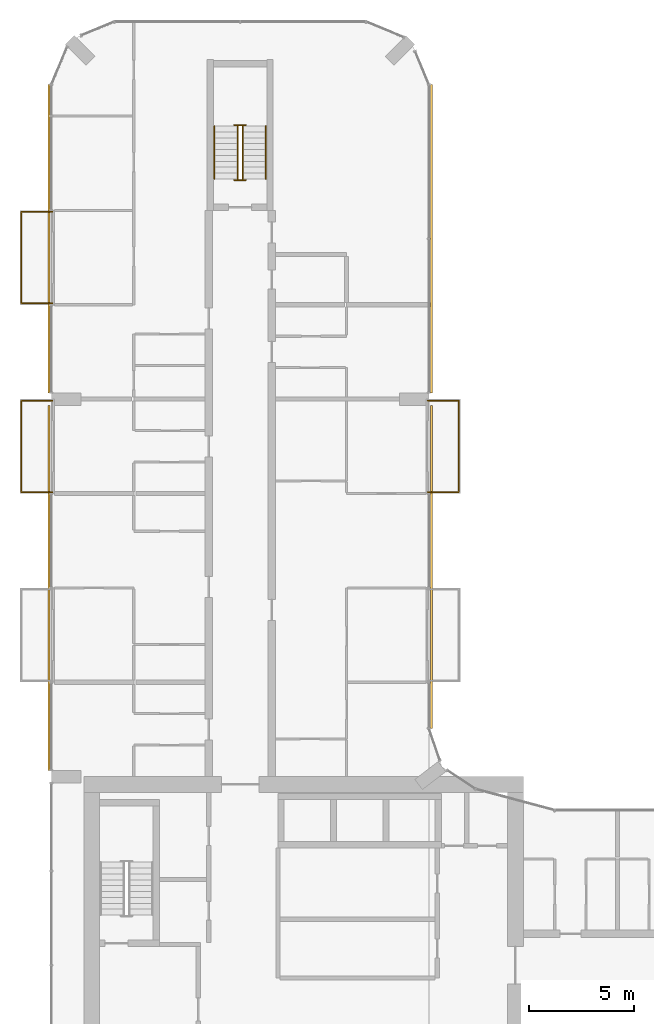
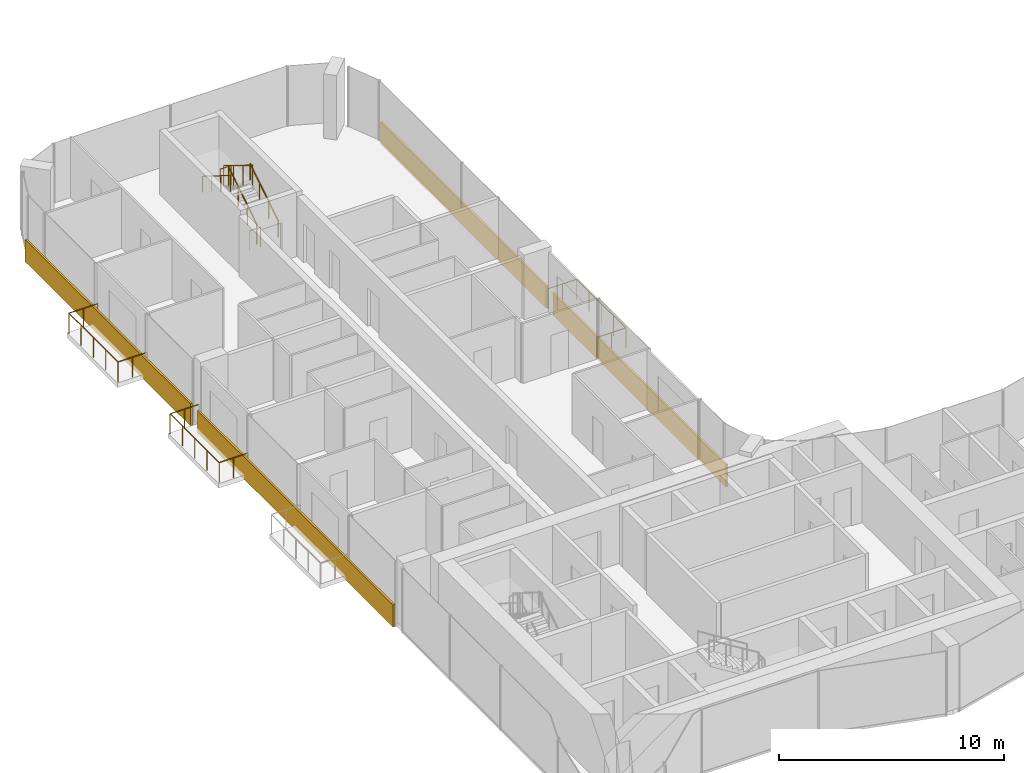
# One storey, part 22 of 23: 9 railings, 4 coverings.
"""IFC4 building model written with IfcOpenShell, lengths in metres."""

from ifc_helpers import new_model, si_unit, direction, frame, origin, origin_2d, place, context, subcontext, project, spatial, rectangle, circle, extrude, material, layer, layer_set, type_object, element, save


model = new_model("IFC4")

# Units and contexts
model_context = context("Model", 3, precision=1e-05, world=origin(), true_north=direction((0.0, 1.0)))
body_context = subcontext(model_context, "Body", "Model", "MODEL_VIEW")
ifc_project = project(units=[si_unit("LENGTHUNIT", "METRE"), si_unit("AREAUNIT", "SQUARE_METRE"), si_unit("VOLUMEUNIT", "CUBIC_METRE"), si_unit("PLANEANGLEUNIT", "RADIAN"), si_unit("MASSUNIT", "GRAM", prefix="KILO")], contexts=[model_context])

# Site, building, storey
site_placement = place(None, origin())
site = spatial("IfcSite", under=ifc_project, at=site_placement, CompositionType="ELEMENT")
building_placement = place(site_placement, origin())
building = spatial("IfcBuilding", under=site, at=building_placement, Name="Plateau Cross Towers", CompositionType="ELEMENT")
storey_placement = place(building_placement, frame((0.0, 0.0, 33.800048828125)))
storey = spatial("IfcBuildingStorey", under=building, at=storey_placement, Name="L07", CompositionType="ELEMENT", Elevation=33.800048828125)

# Railings
ifc_material_1 = material(Name="Stainless steel and toughened glass", Category="steel")
railing_type_1 = type_object("IfcRailingType", Name="Glass balustrade guard 1100", PredefinedType="GUARDRAIL", material=ifc_material_1)
for number, where, name in (
    (1, (0.050048828125, 31.570068359375, 0.0), "Guard guard1"),
    (2, (0.050048828125, 40.570068359375, 0.0), "Guard guard1"),
):
    element("IfcRailing", number, at=place(storey_placement, frame(where)), inside=storey, type_object=railing_type_1, Name=name, PredefinedType="GUARDRAIL", context=body_context, shape_type="SweptSolid", body=[
        extrude(circle(Radius=0.02392578125, at=origin_2d()), frame((0.0, 0.0, 1.076171875), z_axis=(-1.0, 0.0, 0.0), x_axis=(0.0, -1.0, 0.0)), (0.0, 0.0, 1.0), 1.47998046875),
        extrude(circle(Radius=0.02392578125, at=origin_2d()), frame((-1.47998046875, 0.0, 1.076171875), z_axis=(0.0, 1.0, 0.0), x_axis=(-1.0, 0.0, 0.0)), (0.0, 0.0, 1.0), 4.35986328125),
        extrude(circle(Radius=0.02392578125, at=origin_2d()), frame((-1.47998046875, 4.35986328125, 1.076171875), z_axis=(1.0, 0.0, 0.0), x_axis=(0.0, 1.0, 0.0)), (0.0, 0.0, 1.0), 1.47998046875),
        extrude(circle(Radius=0.02099609375, at=origin_2d()), origin(), (0.0, 0.0, 1.0), 1.052001953125),
        extrude(circle(Radius=0.02099609375, at=origin_2d()), frame((-0.739990234375, 0.0, 0.0)), (0.0, 0.0, 1.0), 1.052001953125),
        extrude(circle(Radius=0.02099609375, at=origin_2d()), frame((-1.47998046875, 0.0, 0.0)), (0.0, 0.0, 1.0), 1.052001953125),
        extrude(circle(Radius=0.02099609375, at=origin_2d()), frame((-1.47998046875, 1.08984375, 0.0)), (0.0, 0.0, 1.0), 1.052001953125),
        extrude(circle(Radius=0.02099609375, at=origin_2d()), frame((-1.47998046875, 2.179931640625, 0.0)), (0.0, 0.0, 1.0), 1.052001953125),
        extrude(circle(Radius=0.02099609375, at=origin_2d()), frame((-1.47998046875, 3.27001953125, 0.0)), (0.0, 0.0, 1.0), 1.052001953125),
        extrude(circle(Radius=0.02099609375, at=origin_2d()), frame((-1.47998046875, 4.35986328125, 0.0)), (0.0, 0.0, 1.0), 1.052001953125),
        extrude(circle(Radius=0.02099609375, at=origin_2d()), frame((-0.739990234375, 4.35986328125, 0.0)), (0.0, 0.0, 1.0), 1.052001953125),
        extrude(circle(Radius=0.02099609375, at=origin_2d()), frame((0.0, 4.35986328125, 0.0)), (0.0, 0.0, 1.0), 1.052001953125),
    ])
railing_1_placement = place(storey_placement, frame((17.949951171875, 35.929931640625, 0.0)))
element("IfcRailing", 3, at=railing_1_placement, inside=storey, type_object=railing_type_1, Name="Guard guard1", PredefinedType="GUARDRAIL", context=body_context, shape_type="SweptSolid", body=[
    extrude(circle(Radius=0.02392578125, at=origin_2d()), frame((0.0, 0.0, 1.076171875), z_axis=(1.0, 0.0, 0.0), x_axis=(0.0, 1.0, 0.0)), (0.0, 0.0, 1.0), 1.47998046875),
    extrude(circle(Radius=0.02392578125, at=origin_2d()), frame((1.47998046875, 0.0, 1.076171875), z_axis=(0.0, -1.0, 0.0), x_axis=(1.0, 0.0, 0.0)), (0.0, 0.0, 1.0), 4.35986328125),
    extrude(circle(Radius=0.02392578125, at=origin_2d()), frame((1.47998046875, -4.35986328125, 1.076171875), z_axis=(-1.0, 0.0, 0.0), x_axis=(0.0, -1.0, 0.0)), (0.0, 0.0, 1.0), 1.47998046875),
    extrude(circle(Radius=0.02099609375, at=origin_2d()), origin(), (0.0, 0.0, 1.0), 1.052001953125),
    extrude(circle(Radius=0.02099609375, at=origin_2d()), frame((0.739990234375, 0.0, 0.0)), (0.0, 0.0, 1.0), 1.052001953125),
    extrude(circle(Radius=0.02099609375, at=origin_2d()), frame((1.47998046875, 0.0, 0.0)), (0.0, 0.0, 1.0), 1.052001953125),
    extrude(circle(Radius=0.02099609375, at=origin_2d()), frame((1.47998046875, -1.08984375, 0.0)), (0.0, 0.0, 1.0), 1.052001953125),
    extrude(circle(Radius=0.02099609375, at=origin_2d()), frame((1.47998046875, -2.179931640625, 0.0)), (0.0, 0.0, 1.0), 1.052001953125),
    extrude(circle(Radius=0.02099609375, at=origin_2d()), frame((1.47998046875, -3.27001953125, 0.0)), (0.0, 0.0, 1.0), 1.052001953125),
    extrude(circle(Radius=0.02099609375, at=origin_2d()), frame((1.47998046875, -4.35986328125, 0.0)), (0.0, 0.0, 1.0), 1.052001953125),
    extrude(circle(Radius=0.02099609375, at=origin_2d()), frame((0.739990234375, -4.35986328125, 0.0)), (0.0, 0.0, 1.0), 1.052001953125),
    extrude(circle(Radius=0.02099609375, at=origin_2d()), frame((0.0, -4.35986328125, 0.0)), (0.0, 0.0, 1.0), 1.052001953125),
])
railing_type_2 = type_object("IfcRailingType", Name="RL-GUARD-1100", PredefinedType="GUARDRAIL", material=ifc_material_1)
railing_2_placement = place(storey_placement, frame((9.125, 46.5, 0.175048828125)))
element("IfcRailing", 4, at=railing_2_placement, inside=storey, type_object=railing_type_2, Name="L07 ES-N stair guard 1", PredefinedType="GUARDRAIL", context=body_context, shape_type="SweptSolid", body=[
    extrude(circle(Radius=0.02392578125, at=origin_2d()), frame((0.0, 0.0, 1.076171875), z_axis=(0.0, 0.848007534815, 0.529984170421), x_axis=(-1.0, 0.0, 0.0)), (0.0, 0.0, 1.0), 2.9716796875),
    extrude(circle(Radius=0.02099609375, at=origin_2d()), origin(), (0.0, 0.0, 1.0), 1.052001953125),
    extrude(circle(Radius=0.02099609375, at=origin_2d()), frame((0.0, 0.840087890625, 0.52490234375)), (0.0, 0.0, 1.0), 1.052001953125),
    extrude(circle(Radius=0.02099609375, at=origin_2d()), frame((0.0, 1.679931640625, 1.050048828125)), (0.0, 0.0, 1.0), 1.052001953125),
    extrude(circle(Radius=0.02099609375, at=origin_2d()), frame((0.0, 2.52001953125, 1.574951171875)), (0.0, 0.0, 1.0), 1.052001953125),
])
railing_3_placement = place(storey_placement, frame((9.27490234375, 49.070068359375, 1.75)))
element("IfcRailing", 5, at=railing_3_placement, inside=storey, type_object=railing_type_2, Name="L07 ES-N stair guard 2", PredefinedType="GUARDRAIL", context=body_context, shape_type="SweptSolid", body=[
    extrude(circle(Radius=0.02392578125, at=origin_2d()), frame((0.0, 0.0, 1.076171875), z_axis=(-1.0, 0.0, 0.0), x_axis=(0.0, -1.0, 0.0)), (0.0, 0.0, 1.0), 0.5498046875),
    extrude(circle(Radius=0.02099609375, at=origin_2d()), origin(), (0.0, 0.0, 1.0), 1.052001953125),
    extrude(circle(Radius=0.02099609375, at=origin_2d()), frame((-0.5498046875, 0.0, 0.0)), (0.0, 0.0, 1.0), 1.052001953125),
])
railing_4_placement = place(storey_placement, frame((8.875, 49.02001953125, 1.925048828125)))
element("IfcRailing", 6, at=railing_4_placement, inside=storey, type_object=railing_type_2, Name="L07 ES-N stair guard 3", PredefinedType="GUARDRAIL", context=body_context, shape_type="SweptSolid", body=[
    extrude(circle(Radius=0.02392578125, at=origin_2d()), frame((0.0, 0.0, 1.076171875), z_axis=(0.0, -0.852638500773, 0.522501279423), x_axis=(1.0, 0.0, 0.0)), (0.0, 0.0, 1.0), 3.01416015625),
    extrude(circle(Radius=0.02099609375, at=origin_2d()), origin(), (0.0, 0.0, 1.0), 1.052001953125),
    extrude(circle(Radius=0.02099609375, at=origin_2d()), frame((0.0, -0.856689453125, 0.52490234375)), (0.0, 0.0, 1.0), 1.052001953125),
    extrude(circle(Radius=0.02099609375, at=origin_2d()), frame((0.0, -1.71337890625, 1.050048828125)), (0.0, 0.0, 1.0), 1.052001953125),
    extrude(circle(Radius=0.02099609375, at=origin_2d()), frame((0.0, -2.570068359375, 1.574951171875)), (0.0, 0.0, 1.0), 1.052001953125),
])
railing_5_placement = place(storey_placement, frame((9.27490234375, 46.449951171875, 0.0)))
element("IfcRailing", 7, at=railing_5_placement, inside=storey, type_object=railing_type_2, Name="L07 ES-N stair guard 4", PredefinedType="GUARDRAIL", context=body_context, shape_type="SweptSolid", body=[
    extrude(circle(Radius=0.02392578125, at=origin_2d()), frame((0.0, 0.0, 1.076171875), z_axis=(-1.0, 0.0, 0.0), x_axis=(0.0, -1.0, 0.0)), (0.0, 0.0, 1.0), 0.5498046875),
    extrude(circle(Radius=0.02099609375, at=origin_2d()), origin(), (0.0, 0.0, 1.0), 1.052001953125),
    extrude(circle(Radius=0.02099609375, at=origin_2d()), frame((-0.5498046875, 0.0, 0.0)), (0.0, 0.0, 1.0), 1.052001953125),
])
ifc_material_2 = material(Name="Black anodised aluminium", Category="aluminium")
railing_type_3 = type_object("IfcRailingType", Name="RL-HANDRAIL-900", PredefinedType="HANDRAIL", material=ifc_material_2)
railing_6_placement = place(storey_placement, frame((10.22509765625, 46.5, 0.175048828125)))
element("IfcRailing", 8, at=railing_6_placement, inside=storey, type_object=railing_type_3, Name="L07 ES-N stair handrail 1", PredefinedType="HANDRAIL", context=body_context, shape_type="SweptSolid", body=[
    extrude(circle(Radius=0.02392578125, at=origin_2d()), frame((0.0, 0.0, 0.8759765625), z_axis=(0.0, 0.848007534815, 0.529984170421), x_axis=(-1.0, 0.0, 0.0)), (0.0, 0.0, 1.0), 2.9716796875),
    extrude(circle(Radius=0.02099609375, at=origin_2d()), origin(), (0.0, 0.0, 1.0), 0.851806640625),
    extrude(circle(Radius=0.02099609375, at=origin_2d()), frame((0.0, 0.840087890625, 0.52490234375)), (0.0, 0.0, 1.0), 0.851806640625),
    extrude(circle(Radius=0.02099609375, at=origin_2d()), frame((0.0, 1.679931640625, 1.050048828125)), (0.0, 0.0, 1.0), 0.851806640625),
    extrude(circle(Radius=0.02099609375, at=origin_2d()), frame((0.0, 2.52001953125, 1.574951171875)), (0.0, 0.0, 1.0), 0.851806640625),
])
railing_7_placement = place(storey_placement, frame((7.77490234375, 49.02001953125, 1.925048828125)))
element("IfcRailing", 9, at=railing_7_placement, inside=storey, type_object=railing_type_3, Name="L07 ES-N stair handrail 2", PredefinedType="HANDRAIL", context=body_context, shape_type="SweptSolid", body=[
    extrude(circle(Radius=0.02392578125, at=origin_2d()), frame((0.0, 0.0, 0.8759765625), z_axis=(0.0, -0.848007534815, 0.529984170421), x_axis=(1.0, 0.0, 0.0)), (0.0, 0.0, 1.0), 2.9716796875),
    extrude(circle(Radius=0.02099609375, at=origin_2d()), origin(), (0.0, 0.0, 1.0), 0.851806640625),
    extrude(circle(Radius=0.02099609375, at=origin_2d()), frame((0.0, -0.840087890625, 0.52490234375)), (0.0, 0.0, 1.0), 0.851806640625),
    extrude(circle(Radius=0.02099609375, at=origin_2d()), frame((0.0, -1.679931640625, 1.050048828125)), (0.0, 0.0, 1.0), 0.851806640625),
    extrude(circle(Radius=0.02099609375, at=origin_2d()), frame((0.0, -2.52001953125, 1.574951171875)), (0.0, 0.0, 1.0), 0.851806640625),
])

# Coverings
ifc_material_3 = material(Name="Precast concrete cladding C40/50", Category="concrete")
ifc_layer = layer(ifc_material_3, 0.10009765625)
ifc_layer_set = layer_set([ifc_layer], Name="Precast concrete cladding C40/50")
covering_type = type_object("IfcCoveringType", Name="Spandrel band cladding 100x1200", PredefinedType="CLADDING", material=ifc_layer_set)
covering_1_placement = place(storey_placement, frame((18.1201171875, 28.001220703125, -0.25), z_axis=(0.0, 0.0, 1.0), x_axis=(0.0, 1.0, 0.0)))
element("IfcCovering", 10, at=covering_1_placement, inside=storey, type_object=covering_type, Name="Spandrel band", PredefinedType="CLADDING", context=body_context, shape_type="SweptSolid", body=[
    extrude(rectangle(XDim=15.397705078125, YDim=0.10009765625, at=origin_2d()), origin(), (0.0, 0.0, 1.0), 1.199951171875),
])
for number, where, z_axis, x_axis, name in (
    (11, (18.1201171875, 43.64990234375, -0.25), (0.0, 0.0, 1.0), (0.0, 1.0, 0.0), "Spandrel band"),
    (12, (-0.1201171875, 43.64990234375, -0.25), (0.0, 0.0, 1.0), (0.0, -1.0, 0.0), "Spandrel band"),
):
    element("IfcCovering", number, at=place(storey_placement, frame(where, z_axis=z_axis, x_axis=x_axis)), inside=storey, type_object=covering_type, Name=name, PredefinedType="CLADDING", context=body_context, shape_type="SweptSolid", body=[
        extrude(rectangle(XDim=14.699951171875, YDim=0.10009765625, at=origin_2d()), origin(), (0.0, 0.0, 1.0), 1.199951171875),
    ])
covering_2_placement = place(storey_placement, frame((-0.1201171875, 27.0, -0.25), z_axis=(0.0, 0.0, 1.0), x_axis=(0.0, -1.0, 0.0)))
element("IfcCovering", 13, at=covering_2_placement, inside=storey, type_object=covering_type, Name="Spandrel band", PredefinedType="CLADDING", context=body_context, shape_type="SweptSolid", body=[
    extrude(rectangle(XDim=17.39990234375, YDim=0.10009765625, at=origin_2d()), origin(), (0.0, 0.0, 1.0), 1.199951171875),
])

save(model, "model.ifc")
